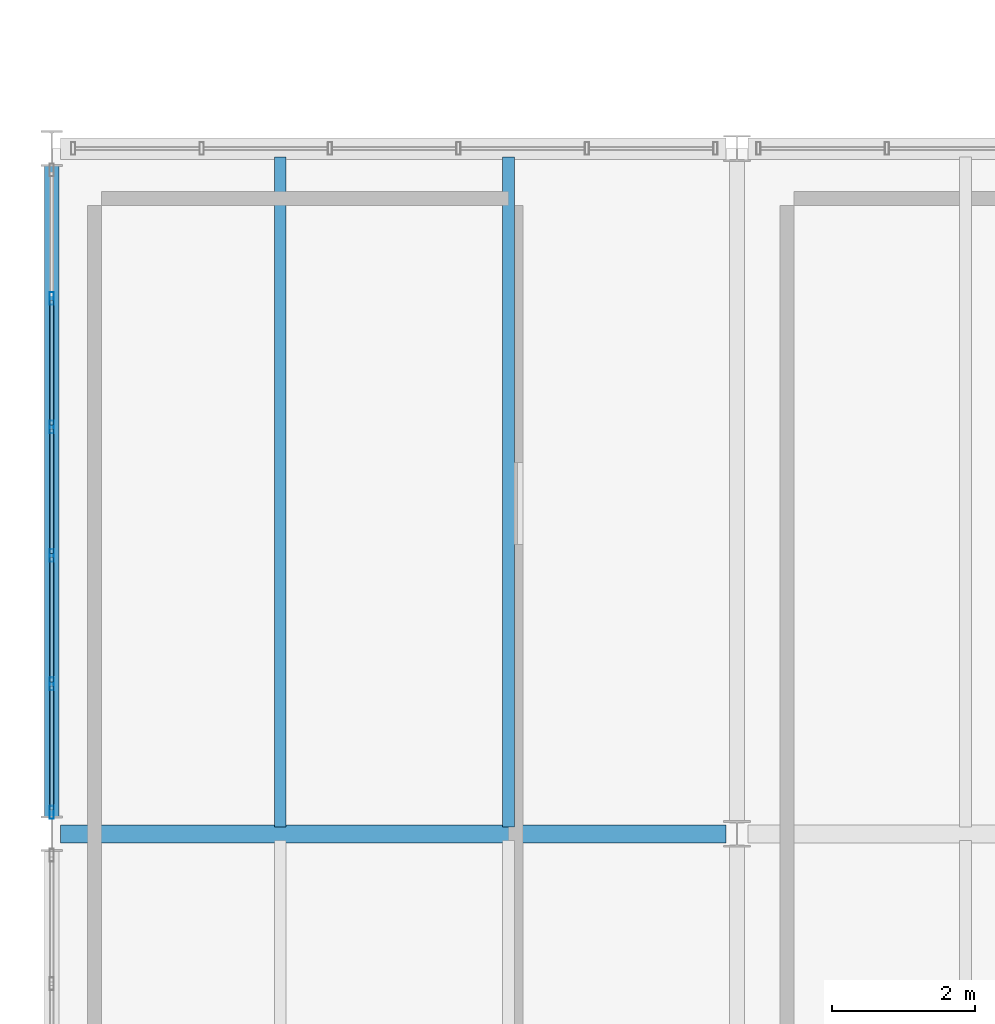
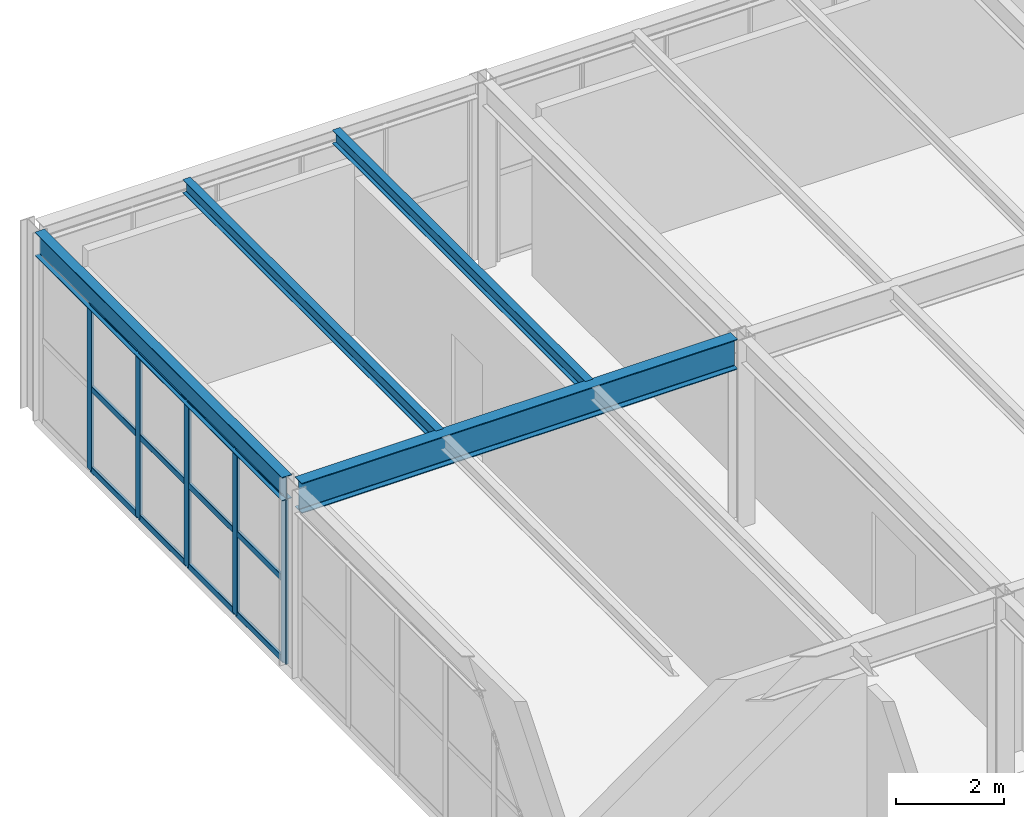
# One storey, part 44 of 170: 17 members, 4 beams, 1 element without a shape of its own.
"""IFC4 building model written with IfcOpenShell, lengths in metres."""

import ifcopenshell
import ifcopenshell.guid

model = None  # the IFC model being written
_history = None  # IfcOwnerHistory: only IFC2X3 demands one
_inside = {}  # id of a spatial element -> (the spatial element, [elements in it])
_under = {}  # id of a project, library or spatial element -> (it, [spatial elements below it])
_declared = {}  # id of a project -> (the project, [libraries it declares])
_typed = {}  # id of a type object -> (the type object, [elements of that type])
_made_of = {}  # id of a material, layer set ... -> (it, [elements and type objects made of it])


def new_model(schema):
    """Start an empty IFC model of exactly this schema.

    Asked for "IFC4X3", IfcOpenShell would pick the latest addendum, in which some entities
    have other attributes; the version numbers below select the first issue.
    IFC2X3 requires an IfcOwnerHistory on every rooted entity: one is made here for all.
    """
    global model, _history
    if schema == "IFC4X3":
        model = ifcopenshell.file(schema_version=(4, 3, 0, 0))
    else:
        model = ifcopenshell.file(schema=schema)
    _inside.clear()
    _under.clear()
    _declared.clear()
    _typed.clear()
    _made_of.clear()
    _history = None
    if model.schema == "IFC2X3":
        org = make("IfcOrganization", Name="unknown")
        user = make(
            "IfcPersonAndOrganization",
            ThePerson=make("IfcPerson", FamilyName="unknown"),
            TheOrganization=org,
        )
        app = make(
            "IfcApplication",
            ApplicationDeveloper=org,
            Version="unknown",
            ApplicationFullName="unknown",
            ApplicationIdentifier="unknown",
        )
        _history = make(
            "IfcOwnerHistory",
            OwningUser=user,
            OwningApplication=app,
            ChangeAction="ADDED",
            CreationDate=0,
        )
    return model


def make(cls, **values):
    """One entity of the class cls with the attributes given. An attribute that is None is left unset."""
    return model.create_entity(
        cls, **{name: value for name, value in values.items() if value is not None}
    )


def rooted(cls, **values):
    """An entity with a GlobalId (a new one), such as an element, a storey or a relation."""
    return make(cls, GlobalId=ifcopenshell.guid.new(), OwnerHistory=_history, **values)


def si_unit(unit_type, name, prefix=None):
    """IfcSIUnit, for example si_unit("LENGTHUNIT", "METRE", prefix="MILLI")."""
    return make("IfcSIUnit", UnitType=unit_type, Prefix=prefix, Name=name)


def assignment(units):
    """IfcUnitAssignment: the units of a project."""
    return None if units is None else make("IfcUnitAssignment", Units=units)


def point(xyz):
    """IfcCartesianPoint."""
    return None if xyz is None else make("IfcCartesianPoint", Coordinates=xyz)


def direction(xyz):
    """IfcDirection."""
    return None if xyz is None else make("IfcDirection", DirectionRatios=xyz)


def frame(location, z_axis=None, x_axis=None):
    """IfcAxis2Placement3D, a coordinate frame: its origin and axes. An axis left out is left unset."""
    return make(
        "IfcAxis2Placement3D",
        Location=point(location),
        Axis=direction(z_axis),
        RefDirection=direction(x_axis),
    )


def frame_2d(location, x_axis=None):
    """IfcAxis2Placement2D, a coordinate frame in the plane: its origin and x axis."""
    return make(
        "IfcAxis2Placement2D", Location=point(location), RefDirection=direction(x_axis)
    )


def origin():
    """The frame at (0, 0, 0) with its axes left unset."""
    return frame((0.0, 0.0, 0.0))


def origin_2d():
    """The frame at (0, 0) in the plane with its x axis left unset."""
    return frame_2d((0.0, 0.0))


def place(relative_to, where):
    """IfcLocalPlacement: puts the frame where relative to a parent placement (None: the world)."""
    return make(
        "IfcLocalPlacement", PlacementRelTo=relative_to, RelativePlacement=where
    )


def context(
    kind, dimensions, precision=None, world=None, true_north=None, identifier=None
):
    """IfcGeometricRepresentationContext, for example the 3D "Model" context."""
    return make(
        "IfcGeometricRepresentationContext",
        ContextIdentifier=identifier,
        ContextType=kind,
        CoordinateSpaceDimension=dimensions,
        Precision=precision,
        WorldCoordinateSystem=world,
        TrueNorth=true_north,
    )


def subcontext(parent, identifier, kind, view, scale=None):
    """IfcGeometricRepresentationSubContext, for example "Body" below "Model"."""
    return make(
        "IfcGeometricRepresentationSubContext",
        ContextIdentifier=identifier,
        ContextType=kind,
        ParentContext=parent,
        TargetScale=scale,
        TargetView=view,
    )


def project(units=None, contexts=None):
    """IfcProject with its units and contexts."""
    return rooted(
        "IfcProject",
        Name="project",
        RepresentationContexts=contexts,
        UnitsInContext=assignment(units),
    )


def spatial(cls, under=None, at=None, **own):
    """A site, building, storey or space (cls), placed at a placement, below another one or the project."""
    s = rooted(cls, ObjectPlacement=at, **own)
    if under is not None:
        _under.setdefault(under.id(), (under, []))[1].append(s)
    return s


def profile(cls, at=None, kind="AREA", **sizes):
    """A parametric profile (cls). Its sizes go by their IFC names, for example OverallWidth=200.0."""
    return make(cls, ProfileType=kind, Position=at, **sizes)


def hollow_rectangle(**sizes):
    """IfcRectangleHollowProfileDef."""
    return profile("IfcRectangleHollowProfileDef", **sizes)


def i_section(**sizes):
    """IfcIShapeProfileDef."""
    return profile("IfcIShapeProfileDef", **sizes)


def extrude(swept, where, along, depth):
    """IfcExtrudedAreaSolid: the profile swept, set in the frame where, extruded along a direction by depth."""
    return make(
        "IfcExtrudedAreaSolid",
        SweptArea=swept,
        Position=where,
        ExtrudedDirection=direction(along),
        Depth=depth,
    )


def shape(context_of_items, identifier, shape_type, items):
    """IfcShapeRepresentation: the items that make up one representation, for example the "Body"."""
    return make(
        "IfcShapeRepresentation",
        ContextOfItems=context_of_items,
        RepresentationIdentifier=identifier,
        RepresentationType=shape_type,
        Items=items,
    )


def material(Name=None, Category=None):
    """IfcMaterial."""
    return make("IfcMaterial", Name=Name, Category=Category)


def material_profile(
    of_material, cross_section, Name=None, Category=None, Priority=None
):
    """IfcMaterialProfile: a cross section and its material."""
    return make(
        "IfcMaterialProfile",
        Name=Name,
        Material=of_material,
        Profile=cross_section,
        Priority=Priority,
        Category=Category,
    )


def profile_set(profiles, Name=None, composite=None):
    """IfcMaterialProfileSet."""
    return make(
        "IfcMaterialProfileSet",
        Name=Name,
        MaterialProfiles=profiles,
        CompositeProfile=composite,
    )


def made_of(thing, what):
    """Note that an element or type object is made of a material, layer set ...; save() writes the relation."""
    if what is not None:
        _made_of.setdefault(what.id(), (what, []))[1].append(thing)
    return thing


def type_object(cls, material=None, **own):
    """A type object (cls), such as IfcWallType, which elements share."""
    return made_of(rooted(cls, **own), material)


def element(
    cls,
    number,
    at=None,
    inside=None,
    cuts=None,
    type_object=None,
    material=None,
    context=None,
    identifier="Body",
    shape_type=None,
    held_by="IfcProductDefinitionShape",
    body=None,
    shapes=None,
    **own,
):
    """One element of the class cls, such as IfcWall. Its Tag is "e" and its number.

    at: its placement. inside: the storey or other place that contains it. cuts: it is an
    opening in that element (IfcRelVoidsElement). A single representation is given by context,
    identifier, shape_type and body (its items); several are given by shapes. held_by: the class
    of the entity that holds the representations. save() writes the other relations.
    """
    e = rooted(cls, Tag="e%d" % number, ObjectPlacement=at, **own)
    if body is not None:
        shapes = [shape(context, identifier, shape_type, body)]
    if shapes is not None:
        e.Representation = make(held_by, Representations=shapes)
    if inside is not None:
        _inside.setdefault(inside.id(), (inside, []))[1].append(e)
    if cuts is not None:
        rooted(
            "IfcRelVoidsElement", RelatingBuildingElement=cuts, RelatedOpeningElement=e
        )
    if type_object is not None:
        _typed.setdefault(type_object.id(), (type_object, []))[1].append(e)
    return made_of(e, material)


def aggregate(whole, parts):
    """IfcRelAggregates: a whole, such as a stair, and the parts it consists of."""
    return rooted("IfcRelAggregates", RelatingObject=whole, RelatedObjects=parts)


def save(model, path):
    """Write the relations noted so far, then the file.

    IfcRelAggregates (storeys below a building ...), IfcRelContainedInSpatialStructure (elements
    in a storey), IfcRelDefinesByType, IfcRelAssociatesMaterial and IfcRelDeclares: one each for
    every whole, place, type object, material and project.
    """
    for whole, parts in _under.values():
        aggregate(whole, parts)
    for where, things in _inside.values():
        rooted(
            "IfcRelContainedInSpatialStructure",
            RelatedElements=things,
            RelatingStructure=where,
        )
    for kind, things in _typed.values():
        rooted("IfcRelDefinesByType", RelatedObjects=things, RelatingType=kind)
    for what, things in _made_of.values():
        rooted("IfcRelAssociatesMaterial", RelatedObjects=things, RelatingMaterial=what)
    for by, libraries in _declared.values():
        rooted("IfcRelDeclares", RelatingContext=by, RelatedDefinitions=libraries)
    model.write(path)


model = new_model("IFC4")

# Units and contexts
model_context = context("Model", 3, precision=1e-05, world=origin(), true_north=direction((0.0, 1.0)))
body_context = subcontext(model_context, "Body", "Model", "MODEL_VIEW")
ifc_project = project(units=[si_unit("LENGTHUNIT", "METRE"), si_unit("AREAUNIT", "SQUARE_METRE"), si_unit("VOLUMEUNIT", "CUBIC_METRE"), si_unit("PLANEANGLEUNIT", "RADIAN"), si_unit("MASSUNIT", "GRAM", prefix="KILO")], contexts=[model_context])

# Site, building, storey
site_placement = place(None, origin())
site = spatial("IfcSite", under=ifc_project, at=site_placement, CompositionType="ELEMENT")
building_placement = place(site_placement, origin())
building = spatial("IfcBuilding", under=site, at=building_placement, Name="Coralgate Yard Interchange", CompositionType="ELEMENT")
storey_placement = place(building_placement, frame((0.0, 0.0, 6.0)))
storey = spatial("IfcBuildingStorey", under=building, at=storey_placement, Name="L01", CompositionType="ELEMENT", Elevation=6.0)

# Beams
ifc_material_1 = material(Name="Structural steel S355J2", Category="steel")
ifc_material_profile_1 = material_profile(ifc_material_1, i_section(OverallWidth=0.209228515625, OverallDepth=0.533203125, WebThickness=0.010009765625, FlangeThickness=0.015625, FilletRadius=0.0126953125, at=origin_2d()), Name="UB 533x210x92")
ifc_profile_set_1 = profile_set([ifc_material_profile_1], Name="Structural steel S355J2")
beam_type_1 = type_object("IfcBeamType", Name="BM-SB-1", PredefinedType="BEAM", material=ifc_profile_set_1)
beam_1_placement = place(storey_placement, frame((0.0, 48.219970703125, 3.9833984375), z_axis=(0.0, 1.0, 0.0), x_axis=(-1.0, 0.0, 0.0)))
element("IfcBeam", 1, at=beam_1_placement, inside=storey, type_object=beam_type_1, Name="L01 primary grid girder X0 Y5-6", PredefinedType="BEAM", context=body_context, shape_type="SweptSolid", body=[
    extrude(i_section(OverallWidth=0.209228515625, OverallDepth=0.533203125, WebThickness=0.010009765625, FlangeThickness=0.015625, FilletRadius=0.0126953125, at=origin_2d()), origin(), (0.0, 0.0, 1.0), 9.159912109375),
])
ifc_material_profile_2 = material_profile(ifc_material_1, i_section(OverallWidth=0.253662109375, OverallDepth=0.68359375, WebThickness=0.012451171875, FlangeThickness=0.01904296875, FilletRadius=0.01513671875, at=origin_2d()), Name="UB 686x254x140")
ifc_profile_set_2 = profile_set([ifc_material_profile_2], Name="Structural steel S355J2")
beam_type_2 = type_object("IfcBeamType", Name="BM-SG-4", PredefinedType="BEAM", material=ifc_profile_set_2)
beam_2_placement = place(storey_placement, frame((0.1201171875, 48.0, 3.908203125), z_axis=(1.0, 0.0, 0.0), x_axis=(0.0, 1.0, 0.0)))
element("IfcBeam", 2, at=beam_2_placement, inside=storey, type_object=beam_type_2, Name="L01 primary grid beam Y5 X0-1", PredefinedType="BEAM", context=body_context, shape_type="SweptSolid", body=[
    extrude(i_section(OverallWidth=0.253662109375, OverallDepth=0.68359375, WebThickness=0.012451171875, FlangeThickness=0.01904296875, FilletRadius=0.01513671875, at=origin_2d()), origin(), (0.0, 0.0, 1.0), 9.323486328125),
])
ifc_material_profile_3 = material_profile(ifc_material_1, i_section(OverallWidth=0.1650390625, OverallDepth=0.303466796875, WebThickness=0.006103515625, FlangeThickness=0.01025390625, FilletRadius=0.0087890625, at=origin_2d()), Name="UB 305x165x40")
ifc_profile_set_3 = profile_set([ifc_material_profile_3], Name="Structural steel S355J2")
beam_type_3 = type_object("IfcBeamType", Name="BM-SJ-1", PredefinedType="JOIST", material=ifc_profile_set_3)
for number, where, z_axis, x_axis, name in (
    (3, (3.199951171875, 48.096923828125, 4.098388671875), (0.0, 1.0, 0.0), (-1.0, 0.0, 0.0), "L01 composite floor joist 0-5-1"),
    (4, (6.39990234375, 48.096923828125, 4.098388671875), (0.0, 1.0, 0.0), (-1.0, 0.0, 0.0), "L01 composite floor joist 0-5-2"),
):
    element("IfcBeam", number, at=place(storey_placement, frame(where, z_axis=z_axis, x_axis=x_axis)), inside=storey, type_object=beam_type_3, Name=name, PredefinedType="JOIST", context=body_context, shape_type="SweptSolid", body=[
        extrude(i_section(OverallWidth=0.1650390625, OverallDepth=0.303466796875, WebThickness=0.006103515625, FlangeThickness=0.01025390625, FilletRadius=0.0087890625, at=origin_2d()), origin(), (0.0, 0.0, 1.0), 9.383056640625),
    ])

# Curtain wall, members
ifc_material_2 = material(Name="Anodised coastal aluminium and solar-control low-E glass", Category="aluminium")
curtain_wall_type = type_object("IfcCurtainWallType", Name="CW-CW-L01-A", PredefinedType="NOTDEFINED", material=ifc_material_2)
curtain_wall_placement = place(storey_placement, origin())
curtain_wall = element("IfcCurtainWall", 5, at=curtain_wall_placement, inside=storey, type_object=curtain_wall_type, Name="L01 unitised curtain wall CW-L01-W-00-05", PredefinedType="NOTDEFINED")
ifc_material_3 = material(Name="Anodised coastal aluminium 6063-T6", Category="aluminium")
ifc_material_profile_4 = material_profile(ifc_material_3, hollow_rectangle(XDim=0.06005859375, YDim=0.179931640625, WallThickness=0.00390625, InnerFilletRadius=0.00390625, OuterFilletRadius=0.008056640625, at=origin_2d()), Name="ALU 60x180x4")
ifc_profile_set_4 = profile_set([ifc_material_profile_4], Name="Anodised coastal aluminium 6063-T6")
member_type_1 = type_object("IfcMemberType", Name="MB-MUL-180", PredefinedType="MULLION", material=ifc_profile_set_4)
member_1_placement = place(storey_placement, frame((0.0, 48.300048828125, 0.0), z_axis=(0.0, 0.0, 1.0), x_axis=(1.0, 0.0, 0.0)))
member_1 = element("IfcMember", 6, at=member_1_placement, type_object=member_type_1, Name="CW-L01-W-00-05 vertical mullion 1", PredefinedType="MULLION", context=body_context, shape_type="SweptSolid", body=[
    extrude(hollow_rectangle(XDim=0.06005859375, YDim=0.179931640625, WallThickness=0.00390625, InnerFilletRadius=0.00390625, OuterFilletRadius=0.008056640625, at=origin_2d()), origin(), (0.0, 0.0, 1.0), 3.716796875),
])
member_2_placement = place(storey_placement, frame((0.0, 50.10009765625, 0.0), z_axis=(0.0, 0.0, 1.0), x_axis=(1.0, 0.0, 0.0)))
member_2 = element("IfcMember", 7, at=member_2_placement, type_object=member_type_1, Name="CW-L01-W-00-05 vertical mullion 2", PredefinedType="MULLION", context=body_context, shape_type="SweptSolid", body=[
    extrude(hollow_rectangle(XDim=0.06005859375, YDim=0.179931640625, WallThickness=0.00390625, InnerFilletRadius=0.00390625, OuterFilletRadius=0.008056640625, at=origin_2d()), origin(), (0.0, 0.0, 1.0), 3.716796875),
])
member_3_placement = place(storey_placement, frame((0.0, 51.89990234375, 0.0), z_axis=(0.0, 0.0, 1.0), x_axis=(1.0, 0.0, 0.0)))
member_3 = element("IfcMember", 8, at=member_3_placement, type_object=member_type_1, Name="CW-L01-W-00-05 vertical mullion 3", PredefinedType="MULLION", context=body_context, shape_type="SweptSolid", body=[
    extrude(hollow_rectangle(XDim=0.06005859375, YDim=0.179931640625, WallThickness=0.00390625, InnerFilletRadius=0.00390625, OuterFilletRadius=0.008056640625, at=origin_2d()), origin(), (0.0, 0.0, 1.0), 3.716796875),
])
member_4_placement = place(storey_placement, frame((0.0, 53.699951171875, 0.0), z_axis=(0.0, 0.0, 1.0), x_axis=(1.0, 0.0, 0.0)))
member_4 = element("IfcMember", 9, at=member_4_placement, type_object=member_type_1, Name="CW-L01-W-00-05 vertical mullion 4", PredefinedType="MULLION", context=body_context, shape_type="SweptSolid", body=[
    extrude(hollow_rectangle(XDim=0.06005859375, YDim=0.179931640625, WallThickness=0.00390625, InnerFilletRadius=0.00390625, OuterFilletRadius=0.008056640625, at=origin_2d()), origin(), (0.0, 0.0, 1.0), 3.716796875),
])
member_5_placement = place(storey_placement, frame((0.0, 55.5, 0.0), z_axis=(0.0, 0.0, 1.0), x_axis=(1.0, 0.0, 0.0)))
member_5 = element("IfcMember", 10, at=member_5_placement, type_object=member_type_1, Name="CW-L01-W-00-05 vertical mullion 5", PredefinedType="MULLION", context=body_context, shape_type="SweptSolid", body=[
    extrude(hollow_rectangle(XDim=0.06005859375, YDim=0.179931640625, WallThickness=0.00390625, InnerFilletRadius=0.00390625, OuterFilletRadius=0.008056640625, at=origin_2d()), origin(), (0.0, 0.0, 1.0), 3.716796875),
])
ifc_material_profile_5 = material_profile(ifc_material_3, hollow_rectangle(XDim=0.06005859375, YDim=0.139892578125, WallThickness=0.00341796875, InnerFilletRadius=0.00341796875, OuterFilletRadius=0.007080078125, at=origin_2d()), Name="ALU 60x140x3.5")
ifc_profile_set_5 = profile_set([ifc_material_profile_5], Name="Anodised coastal aluminium 6063-T6")
member_type_2 = type_object("IfcMemberType", Name="MB-TRN-140", PredefinedType="USERDEFINED", material=ifc_profile_set_5)
member_6_placement = place(storey_placement, frame((0.0, 48.330078125, 0.034912109375), z_axis=(0.0, 1.0, 0.0), x_axis=(-1.0, 0.0, 0.0)))
member_6 = element("IfcMember", 11, at=member_6_placement, type_object=member_type_2, Name="CW-L01-W-00-05 horizontal transom 1-1", ObjectType="TRANSOM", PredefinedType="USERDEFINED", context=body_context, shape_type="SweptSolid", body=[
    extrude(hollow_rectangle(XDim=0.06005859375, YDim=0.139892578125, WallThickness=0.00341796875, InnerFilletRadius=0.00341796875, OuterFilletRadius=0.007080078125, at=origin_2d()), origin(), (0.0, 0.0, 1.0), 1.739990234375),
])
member_7_placement = place(storey_placement, frame((0.0, 48.330078125, 1.8583984375), z_axis=(0.0, 1.0, 0.0), x_axis=(-1.0, 0.0, 0.0)))
member_7 = element("IfcMember", 12, at=member_7_placement, type_object=member_type_2, Name="CW-L01-W-00-05 horizontal transom 1-2", ObjectType="TRANSOM", PredefinedType="USERDEFINED", context=body_context, shape_type="SweptSolid", body=[
    extrude(hollow_rectangle(XDim=0.06005859375, YDim=0.139892578125, WallThickness=0.00341796875, InnerFilletRadius=0.00341796875, OuterFilletRadius=0.007080078125, at=origin_2d()), origin(), (0.0, 0.0, 1.0), 1.739990234375),
])
member_8_placement = place(storey_placement, frame((0.0, 48.330078125, 3.681884765625), z_axis=(0.0, 1.0, 0.0), x_axis=(-1.0, 0.0, 0.0)))
member_8 = element("IfcMember", 13, at=member_8_placement, type_object=member_type_2, Name="CW-L01-W-00-05 horizontal transom 1-3", ObjectType="TRANSOM", PredefinedType="USERDEFINED", context=body_context, shape_type="SweptSolid", body=[
    extrude(hollow_rectangle(XDim=0.06005859375, YDim=0.139892578125, WallThickness=0.00341796875, InnerFilletRadius=0.00341796875, OuterFilletRadius=0.007080078125, at=origin_2d()), origin(), (0.0, 0.0, 1.0), 1.739990234375),
])
member_9_placement = place(storey_placement, frame((0.0, 50.1298828125, 0.034912109375), z_axis=(0.0, 1.0, 0.0), x_axis=(-1.0, 0.0, 0.0)))
member_9 = element("IfcMember", 14, at=member_9_placement, type_object=member_type_2, Name="CW-L01-W-00-05 horizontal transom 2-1", ObjectType="TRANSOM", PredefinedType="USERDEFINED", context=body_context, shape_type="SweptSolid", body=[
    extrude(hollow_rectangle(XDim=0.06005859375, YDim=0.139892578125, WallThickness=0.00341796875, InnerFilletRadius=0.00341796875, OuterFilletRadius=0.007080078125, at=origin_2d()), origin(), (0.0, 0.0, 1.0), 1.740234375),
])
member_10_placement = place(storey_placement, frame((0.0, 50.1298828125, 1.8583984375), z_axis=(0.0, 1.0, 0.0), x_axis=(-1.0, 0.0, 0.0)))
member_10 = element("IfcMember", 15, at=member_10_placement, type_object=member_type_2, Name="CW-L01-W-00-05 horizontal transom 2-2", ObjectType="TRANSOM", PredefinedType="USERDEFINED", context=body_context, shape_type="SweptSolid", body=[
    extrude(hollow_rectangle(XDim=0.06005859375, YDim=0.139892578125, WallThickness=0.00341796875, InnerFilletRadius=0.00341796875, OuterFilletRadius=0.007080078125, at=origin_2d()), origin(), (0.0, 0.0, 1.0), 1.740234375),
])
member_11_placement = place(storey_placement, frame((0.0, 50.1298828125, 3.681884765625), z_axis=(0.0, 1.0, 0.0), x_axis=(-1.0, 0.0, 0.0)))
member_11 = element("IfcMember", 16, at=member_11_placement, type_object=member_type_2, Name="CW-L01-W-00-05 horizontal transom 2-3", ObjectType="TRANSOM", PredefinedType="USERDEFINED", context=body_context, shape_type="SweptSolid", body=[
    extrude(hollow_rectangle(XDim=0.06005859375, YDim=0.139892578125, WallThickness=0.00341796875, InnerFilletRadius=0.00341796875, OuterFilletRadius=0.007080078125, at=origin_2d()), origin(), (0.0, 0.0, 1.0), 1.740234375),
])
member_12_placement = place(storey_placement, frame((0.0, 51.929931640625, 0.034912109375), z_axis=(0.0, 1.0, 0.0), x_axis=(-1.0, 0.0, 0.0)))
member_12 = element("IfcMember", 17, at=member_12_placement, type_object=member_type_2, Name="CW-L01-W-00-05 horizontal transom 3-1", ObjectType="TRANSOM", PredefinedType="USERDEFINED", context=body_context, shape_type="SweptSolid", body=[
    extrude(hollow_rectangle(XDim=0.06005859375, YDim=0.139892578125, WallThickness=0.00341796875, InnerFilletRadius=0.00341796875, OuterFilletRadius=0.007080078125, at=origin_2d()), origin(), (0.0, 0.0, 1.0), 1.739990234375),
])
member_13_placement = place(storey_placement, frame((0.0, 51.929931640625, 1.8583984375), z_axis=(0.0, 1.0, 0.0), x_axis=(-1.0, 0.0, 0.0)))
member_13 = element("IfcMember", 18, at=member_13_placement, type_object=member_type_2, Name="CW-L01-W-00-05 horizontal transom 3-2", ObjectType="TRANSOM", PredefinedType="USERDEFINED", context=body_context, shape_type="SweptSolid", body=[
    extrude(hollow_rectangle(XDim=0.06005859375, YDim=0.139892578125, WallThickness=0.00341796875, InnerFilletRadius=0.00341796875, OuterFilletRadius=0.007080078125, at=origin_2d()), origin(), (0.0, 0.0, 1.0), 1.739990234375),
])
member_14_placement = place(storey_placement, frame((0.0, 51.929931640625, 3.681884765625), z_axis=(0.0, 1.0, 0.0), x_axis=(-1.0, 0.0, 0.0)))
member_14 = element("IfcMember", 19, at=member_14_placement, type_object=member_type_2, Name="CW-L01-W-00-05 horizontal transom 3-3", ObjectType="TRANSOM", PredefinedType="USERDEFINED", context=body_context, shape_type="SweptSolid", body=[
    extrude(hollow_rectangle(XDim=0.06005859375, YDim=0.139892578125, WallThickness=0.00341796875, InnerFilletRadius=0.00341796875, OuterFilletRadius=0.007080078125, at=origin_2d()), origin(), (0.0, 0.0, 1.0), 1.739990234375),
])
member_15_placement = place(storey_placement, frame((0.0, 53.72998046875, 0.034912109375), z_axis=(0.0, 1.0, 0.0), x_axis=(-1.0, 0.0, 0.0)))
member_15 = element("IfcMember", 20, at=member_15_placement, type_object=member_type_2, Name="CW-L01-W-00-05 horizontal transom 4-1", ObjectType="TRANSOM", PredefinedType="USERDEFINED", context=body_context, shape_type="SweptSolid", body=[
    extrude(hollow_rectangle(XDim=0.06005859375, YDim=0.139892578125, WallThickness=0.00341796875, InnerFilletRadius=0.00341796875, OuterFilletRadius=0.007080078125, at=origin_2d()), origin(), (0.0, 0.0, 1.0), 1.739990234375),
])
member_16_placement = place(storey_placement, frame((0.0, 53.72998046875, 1.8583984375), z_axis=(0.0, 1.0, 0.0), x_axis=(-1.0, 0.0, 0.0)))
member_16 = element("IfcMember", 21, at=member_16_placement, type_object=member_type_2, Name="CW-L01-W-00-05 horizontal transom 4-2", ObjectType="TRANSOM", PredefinedType="USERDEFINED", context=body_context, shape_type="SweptSolid", body=[
    extrude(hollow_rectangle(XDim=0.06005859375, YDim=0.139892578125, WallThickness=0.00341796875, InnerFilletRadius=0.00341796875, OuterFilletRadius=0.007080078125, at=origin_2d()), origin(), (0.0, 0.0, 1.0), 1.739990234375),
])
member_17_placement = place(storey_placement, frame((0.0, 53.72998046875, 3.681884765625), z_axis=(0.0, 1.0, 0.0), x_axis=(-1.0, 0.0, 0.0)))
member_17 = element("IfcMember", 22, at=member_17_placement, type_object=member_type_2, Name="CW-L01-W-00-05 horizontal transom 4-3", ObjectType="TRANSOM", PredefinedType="USERDEFINED", context=body_context, shape_type="SweptSolid", body=[
    extrude(hollow_rectangle(XDim=0.06005859375, YDim=0.139892578125, WallThickness=0.00341796875, InnerFilletRadius=0.00341796875, OuterFilletRadius=0.007080078125, at=origin_2d()), origin(), (0.0, 0.0, 1.0), 1.739990234375),
])
aggregate(curtain_wall, [member_1, member_2, member_3, member_4, member_5, member_6, member_7, member_8, member_9, member_10, member_11, member_12, member_13, member_14, member_15, member_16, member_17])

save(model, "model.ifc")
